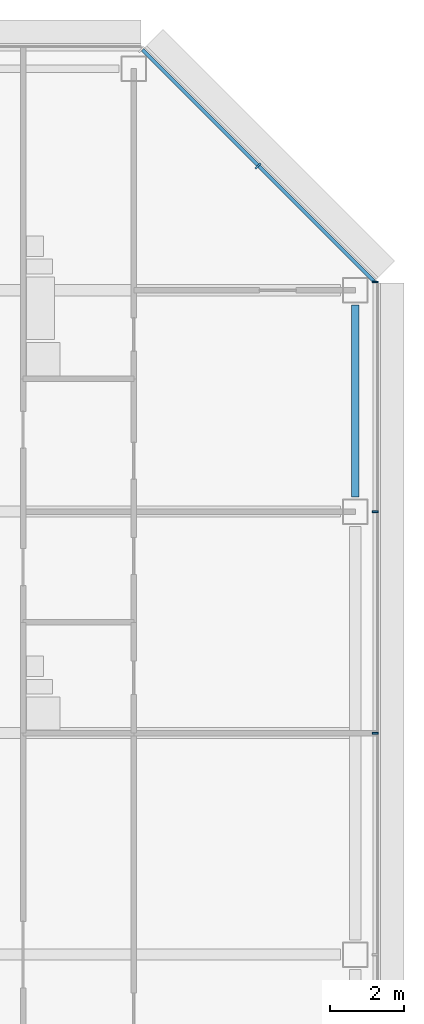
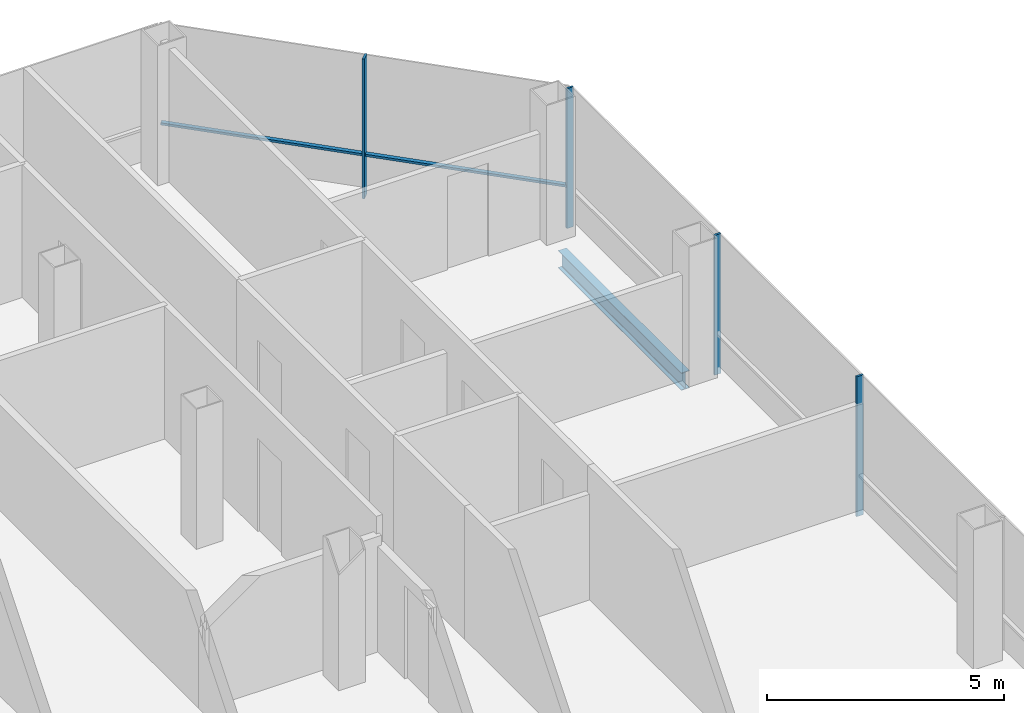
# One storey, part 17 of 26: 5 members, 1 beam, 2 elements without a shape of their own.
"""IFC4 building model written with IfcOpenShell, lengths in metres."""

from ifc_helpers import new_model, si_unit, direction, frame, origin, origin_2d, place, context, subcontext, project, spatial, rectangle, i_section, extrude, material, material_profile, profile_set, type_object, element, aggregate, save


model = new_model("IFC4")

# Units and contexts
model_context = context("Model", 3, precision=1e-05, world=origin(), true_north=direction((0.0, 1.0)))
body_context = subcontext(model_context, "Body", "Model", "MODEL_VIEW")
ifc_project = project(units=[si_unit("LENGTHUNIT", "METRE"), si_unit("AREAUNIT", "SQUARE_METRE"), si_unit("VOLUMEUNIT", "CUBIC_METRE"), si_unit("PLANEANGLEUNIT", "RADIAN"), si_unit("MASSUNIT", "GRAM", prefix="KILO")], contexts=[model_context])

# Site, building, storey
site_placement = place(None, origin())
site = spatial("IfcSite", under=ifc_project, at=site_placement, CompositionType="ELEMENT")
building_placement = place(site_placement, origin())
building = spatial("IfcBuilding", under=site, at=building_placement, Name="Sorahane Residences", CompositionType="ELEMENT")
storey_placement = place(building_placement, frame((0.0, 0.0, 147.39990234375)))
storey = spatial("IfcBuildingStorey", under=building, at=storey_placement, Name="L33", CompositionType="ELEMENT", Elevation=147.39990234375)

# Curtain wall, members
ifc_material_1 = material(Name="Dark low-e glass and black anodised aluminium", Category="aluminium")
curtain_wall_type_1 = type_object("IfcCurtainWallType", Name="Curtain wall CW-1 Typical unitised wall", PredefinedType="NOTDEFINED", material=ifc_material_1)
curtain_wall_1_placement = place(storey_placement, origin())
curtain_wall_1 = element("IfcCurtainWall", 1, at=curtain_wall_1_placement, inside=storey, type_object=curtain_wall_type_1, Name="CW-1 curtain wall L33 E1", PredefinedType="NOTDEFINED")
ifc_material_2 = material(Name="Black anodised aluminium", Category="aluminium")
ifc_material_profile_1 = material_profile(ifc_material_2, rectangle(XDim=0.159912109375, YDim=0.050048828125, at=origin_2d()), Name="Curtain wall mullion CW-1 black anodised aluminium 50x160")
ifc_profile_set_1 = profile_set([ifc_material_profile_1], Name="Black anodised aluminium")
member_type_1 = type_object("IfcMemberType", Name="Curtain wall mullion CW-1 black anodised aluminium 50x160", PredefinedType="MULLION", material=ifc_profile_set_1)
member_1_placement = place(storey_placement, frame((60.5400390625, 30.0, -0.179931640625), z_axis=(0.0, 0.0, 1.0), x_axis=(1.0, 0.0, 0.0)))
member_1 = element("IfcMember", 2, at=member_1_placement, type_object=member_type_1, Name="CW-1 mullion L33 E1.5", PredefinedType="MULLION", context=body_context, shape_type="SweptSolid", body=[
    extrude(rectangle(XDim=0.159912109375, YDim=0.050048828125, at=origin_2d()), origin(), (0.0, 0.0, 1.0), 3.60009765625),
])
member_2_placement = place(storey_placement, frame((60.5400390625, 36.0, -0.179931640625), z_axis=(0.0, 0.0, 1.0), x_axis=(1.0, 0.0, 0.0)))
member_2 = element("IfcMember", 3, at=member_2_placement, type_object=member_type_1, Name="CW-1 mullion L33 E1.6", PredefinedType="MULLION", context=body_context, shape_type="SweptSolid", body=[
    extrude(rectangle(XDim=0.159912109375, YDim=0.050048828125, at=origin_2d()), origin(), (0.0, 0.0, 1.0), 3.60009765625),
])
member_3_placement = place(storey_placement, frame((60.5400390625, 42.2236328125, -0.179931640625), z_axis=(0.0, 0.0, 1.0), x_axis=(1.0, 0.0, 0.0)))
member_3 = element("IfcMember", 4, at=member_3_placement, type_object=member_type_1, Name="CW-1 mullion L33 E1.7", PredefinedType="MULLION", context=body_context, shape_type="SweptSolid", body=[
    extrude(rectangle(XDim=0.159912109375, YDim=0.050048828125, at=origin_2d()), origin(), (0.0, 0.0, 1.0), 3.60009765625),
])
aggregate(curtain_wall_1, [member_1, member_2, member_3])

ifc_material_3 = material(Name="Dark low-e glass and black anodised aluminium", Category="aluminium")
curtain_wall_type_2 = type_object("IfcCurtainWallType", Name="Curtain wall CW-2 Chamfer unitised wall", PredefinedType="NOTDEFINED", material=ifc_material_3)
curtain_wall_2_placement = place(storey_placement, origin())
curtain_wall_2 = element("IfcCurtainWall", 5, at=curtain_wall_2_placement, inside=storey, type_object=curtain_wall_type_2, Name="CW-2 curtain wall L33 NE1", PredefinedType="NOTDEFINED")
ifc_material_4 = material(Name="Black anodised aluminium", Category="aluminium")
ifc_material_profile_2 = material_profile(ifc_material_4, rectangle(XDim=0.199951171875, YDim=0.050048828125, at=origin_2d()), Name="Curtain wall mullion CW-2 black anodised aluminium 50x200")
ifc_profile_set_2 = profile_set([ifc_material_profile_2], Name="Black anodised aluminium")
member_type_2 = type_object("IfcMemberType", Name="Curtain wall mullion CW-2 black anodised aluminium 50x200", PredefinedType="MULLION", material=ifc_profile_set_2)
member_4_placement = place(storey_placement, frame((57.36767578125, 45.36767578125, -0.179931640625), z_axis=(0.0, 0.0, 1.0), x_axis=(0.707106781187, 0.707106781187, 0.0)))
member_4 = element("IfcMember", 6, at=member_4_placement, type_object=member_type_2, Name="CW-2 mullion L33 NE1.2", PredefinedType="MULLION", context=body_context, shape_type="SweptSolid", body=[
    extrude(rectangle(XDim=0.199951171875, YDim=0.050048828125, at=origin_2d()), origin(), (0.0, 0.0, 1.0), 3.60009765625),
])
ifc_material_5 = material(Name="Black anodised aluminium", Category="aluminium")
ifc_material_profile_3 = material_profile(ifc_material_5, rectangle(XDim=0.10009765625, YDim=0.06005859375, at=origin_2d()), Name="Curtain wall transom CW-2 black anodised aluminium 60x100")
ifc_profile_set_3 = profile_set([ifc_material_profile_3], Name="Black anodised aluminium")
member_type_3 = type_object("IfcMemberType", Name="Curtain wall transom CW-2 black anodised aluminium 60x100", PredefinedType="USERDEFINED", material=ifc_profile_set_3)
member_5_placement = place(storey_placement, frame((60.51513671875, 42.234375, 0.900146484375), z_axis=(-0.707106781187, 0.707106781187, 0.0), x_axis=(-0.707106781187, -0.707106781187, 0.0)))
member_5 = element("IfcMember", 7, at=member_5_placement, type_object=member_type_3, Name="CW-2 transom L33 NE1", ObjectType="TRANSOM", PredefinedType="USERDEFINED", context=body_context, shape_type="SweptSolid", body=[
    extrude(rectangle(XDim=0.10009765625, YDim=0.06005859375, at=origin_2d()), origin(), (0.0, 0.0, 1.0), 8.88232421875),
])
aggregate(curtain_wall_2, [member_4, member_5])

# Beam
ifc_material_6 = material(Name="Steel Q355B", Category="steel")
ifc_material_profile_4 = material_profile(ifc_material_6, i_section(OverallWidth=0.199951171875, OverallDepth=0.449951171875, WebThickness=0.009033203125, FlangeThickness=0.013916015625, FilletRadius=0.02001953125, at=origin_2d()), Name="HN 450x200x9x14")
ifc_profile_set_4 = profile_set([ifc_material_profile_4], Name="Steel Q355B")
beam_type = type_object("IfcBeamType", Name="Steel floor beam HN 450x200x9x14 Q355B", PredefinedType="BEAM", material=ifc_profile_set_4)
beam_placement = place(storey_placement, frame((60.0, 36.39990234375, -0.40478515625), z_axis=(0.0, 1.0, 0.0), x_axis=(-1.0, 0.0, 0.0)))
element("IfcBeam", 8, at=beam_placement, inside=storey, type_object=beam_type, Name="Beam L33 067", PredefinedType="BEAM", context=body_context, shape_type="SweptSolid", body=[
    extrude(i_section(OverallWidth=0.199951171875, OverallDepth=0.449951171875, WebThickness=0.009033203125, FlangeThickness=0.013916015625, FilletRadius=0.02001953125, at=origin_2d()), origin(), (0.0, 0.0, 1.0), 5.2001953125),
])

save(model, "model.ifc")
